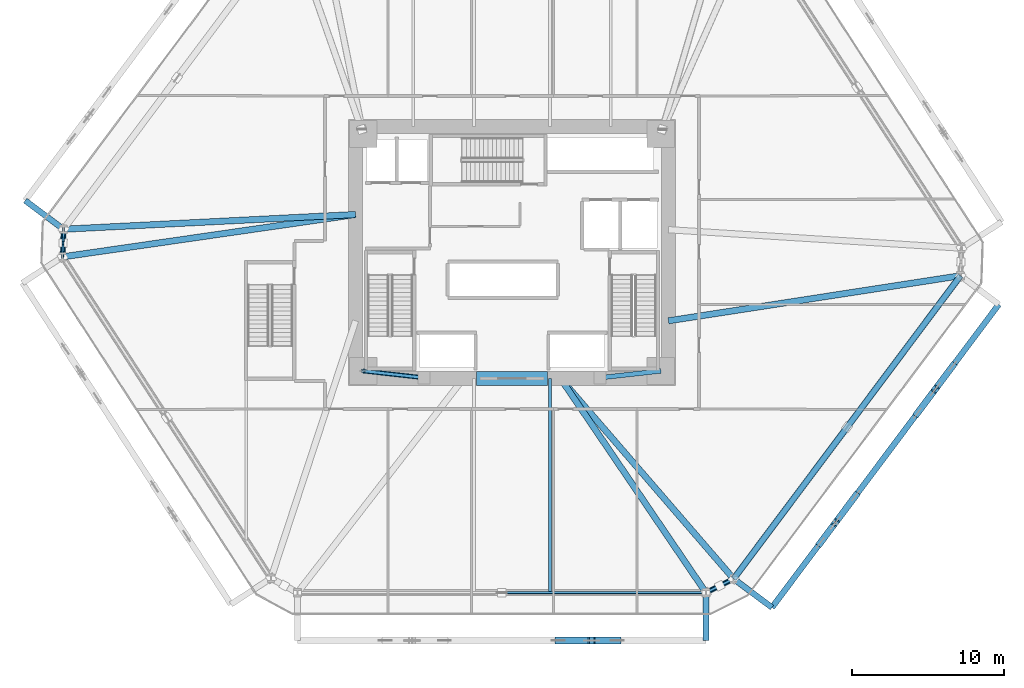
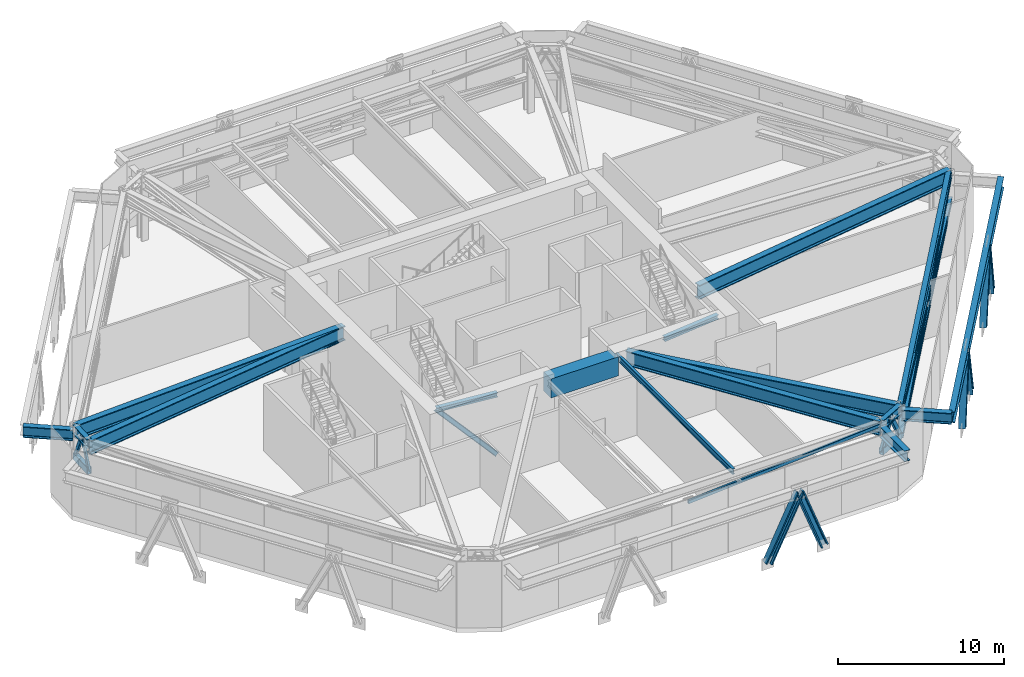
# One storey, part 2 of 16: 18 members, 16 beams.
"""IFC4 building model written with IfcOpenShell, lengths in metres."""

from ifc_helpers import new_model, si_unit, direction, frame, origin, origin_2d, place, context, subcontext, project, spatial, rectangle, hollow_rectangle, i_section, extrude, source, transform, mapped, material, material_profile, profile_set, type_object, type_shapes, element, save


model = new_model("IFC4")

# Units and contexts
model_context = context("Model", 3, precision=1e-05, world=origin(), true_north=direction((0.0, 1.0)))
body_context = subcontext(model_context, "Body", "Model", "MODEL_VIEW")
ifc_project = project(units=[si_unit("LENGTHUNIT", "METRE"), si_unit("AREAUNIT", "SQUARE_METRE"), si_unit("VOLUMEUNIT", "CUBIC_METRE"), si_unit("PLANEANGLEUNIT", "RADIAN"), si_unit("MASSUNIT", "GRAM", prefix="KILO")], contexts=[model_context])

# Site, building, storey
site_placement = place(None, origin())
site = spatial("IfcSite", under=ifc_project, at=site_placement, CompositionType="ELEMENT")
building_placement = place(site_placement, origin())
building = spatial("IfcBuilding", under=site, at=building_placement, Name="Durnholm Broadcast Tower", CompositionType="ELEMENT")
storey_placement = place(building_placement, frame((0.0, 0.0, 10.39990234375)))
storey = spatial("IfcBuildingStorey", under=building, at=storey_placement, Name="L02", CompositionType="ELEMENT", Elevation=10.39990234375)

# Beams
ifc_material_1 = material(Name="Concrete C70/85", Category="concrete")
ifc_material_profile_1 = material_profile(ifc_material_1, rectangle(XDim=0.89990234375, YDim=1.39990234375, at=origin_2d()), Name="RC900X1400")
ifc_profile_set_1 = profile_set([ifc_material_profile_1], Name="Concrete C70/85")
beam_type_1 = type_object("IfcBeamType", Name="BM-CB-RC1400", PredefinedType="LINTEL", material=ifc_profile_set_1)
shared_shape_1 = source(origin(), body_context, "Body", "SweptSolid", [
    extrude(rectangle(XDim=0.89990234375, YDim=1.39990234375, at=origin_2d()), origin(), (0.0, 0.0, 1.0), 4.7001953125),
])
type_shapes(beam_type_1, [shared_shape_1])
beam_1_placement = place(storey_placement, frame((-2.35009765625, -8.300048828125, 4.175048828125), z_axis=(1.0, 0.0, 0.0), x_axis=(0.0, 1.0, 0.0)))
element("IfcBeam", 1, at=beam_1_placement, inside=storey, type_object=beam_type_1, Name="L02 south core coupling lintel beam CB-S", PredefinedType="LINTEL", context=body_context, shape_type="MappedRepresentation", body=[
    mapped(shared_shape_1, transform((0.0, 0.0, 0.0), x_axis=(1.0, 0.0, 0.0), y_axis=(0.0, 1.0, 0.0), z_axis=(0.0, 0.0, 1.0), scale=1.0)),
])
ifc_material_2 = material(Name="Steel ASTM A992 Grade 50", Category="steel")
ifc_material_profile_2 = material_profile(ifc_material_2, i_section(OverallWidth=0.3330078125, OverallDepth=0.660888671875, WebThickness=0.0244140625, FlangeThickness=0.0439453125, FilletRadius=0.02783203125, at=origin_2d()), Name="W24X229")
ifc_profile_set_2 = profile_set([ifc_material_profile_2], Name="Steel ASTM A992 Grade 50")
beam_type_2 = type_object("IfcBeamType", Name="STL-SP-W24X229", PredefinedType="SPANDREL", material=ifc_profile_set_2)
shared_shape_2 = source(origin(), body_context, "Body", "SweptSolid", [
    extrude(i_section(OverallWidth=0.3330078125, OverallDepth=0.660888671875, WebThickness=0.0244140625, FlangeThickness=0.0439453125, FilletRadius=0.02783203125, at=origin_2d()), origin(), (0.0, 0.0, 1.0), 1.820068359375),
])
beam_2_placement = place(storey_placement, frame((-29.590576171875, -0.28857421875, 4.53466796875), z_axis=(0.033667655889, 0.999433083776, 0.0), x_axis=(-0.999433083776, 0.033667655889, 0.0)))
element("IfcBeam", 2, at=beam_2_placement, inside=storey, type_object=beam_type_2, Name="L02 perimeter spandrel girder 02", PredefinedType="SPANDREL", context=body_context, shape_type="MappedRepresentation", body=[
    mapped(shared_shape_2, transform((0.0, 0.0, 0.0), x_axis=(1.0, 0.0, 0.0), y_axis=(0.0, 1.0, 0.0), z_axis=(0.0, 0.0, 1.0), scale=1.0)),
])
shared_shape_3 = source(origin(), body_context, "Body", "SweptSolid", [
    extrude(i_section(OverallWidth=0.3330078125, OverallDepth=0.660888671875, WebThickness=0.0244140625, FlangeThickness=0.0439453125, FilletRadius=0.02783203125, at=origin_2d()), origin(), (0.0, 0.0, 1.0), 24.926513671875),
])
beam_3_placement = place(storey_placement, frame((29.529296875, -1.530517578125, 4.53466796875), z_axis=(-0.599153427318, -0.800634230178, 0.0), x_axis=(0.800634230178, -0.599153427318, 0.0)))
element("IfcBeam", 3, at=beam_3_placement, inside=storey, type_object=beam_type_2, Name="L02 perimeter spandrel girder 09", PredefinedType="SPANDREL", context=body_context, shape_type="MappedRepresentation", body=[
    mapped(shared_shape_3, transform((0.0, 0.0, 0.0), x_axis=(1.0, 0.0, 0.0), y_axis=(0.0, 1.0, 0.0), z_axis=(0.0, 0.0, 1.0), scale=1.0)),
])
shared_shape_4 = source(origin(), body_context, "Body", "SweptSolid", [
    extrude(i_section(OverallWidth=0.3330078125, OverallDepth=0.660888671875, WebThickness=0.0244140625, FlangeThickness=0.0439453125, FilletRadius=0.02783203125, at=origin_2d()), origin(), (0.0, 0.0, 1.0), 2.0380859375),
])
type_shapes(beam_type_2, [shared_shape_2, shared_shape_3, shared_shape_4])
beam_4_placement = place(storey_placement, frame((14.594482421875, -21.487548828125, 4.53466796875), z_axis=(-0.894211470078, -0.447644777452, 0.0), x_axis=(0.447644777452, -0.894211470078, 0.0)))
element("IfcBeam", 4, at=beam_4_placement, inside=storey, type_object=beam_type_2, Name="L02 perimeter spandrel girder 10", PredefinedType="SPANDREL", context=body_context, shape_type="MappedRepresentation", body=[
    mapped(shared_shape_4, transform((0.0, 0.0, 0.0), x_axis=(1.0, 0.0, 0.0), y_axis=(0.0, 1.0, 0.0), z_axis=(0.0, 0.0, 1.0), scale=1.0)),
])
ifc_material_profile_3 = material_profile(ifc_material_2, i_section(OverallWidth=0.3046875, OverallDepth=0.307861328125, WebThickness=0.010009765625, FlangeThickness=0.015380859375, FilletRadius=0.019287109375, at=origin_2d()), Name="W12X65")
ifc_profile_set_3 = profile_set([ifc_material_profile_3], Name="Steel ASTM A992 Grade 50")
beam_type_3 = type_object("IfcBeamType", Name="STL-BL-W12X65", PredefinedType="LINTEL", material=ifc_profile_set_3)
shared_shape_5 = source(origin(), body_context, "Body", "SweptSolid", [
    extrude(i_section(OverallWidth=0.3046875, OverallDepth=0.307861328125, WebThickness=0.010009765625, FlangeThickness=0.015380859375, FilletRadius=0.019287109375, at=origin_2d()), origin(), (0.0, 0.0, 1.0), 4.025146484375),
])
type_shapes(beam_type_3, [shared_shape_5])
for number, where, z_axis, x_axis, name in (
    (5, (-5.800048828125, -8.25, 4.711181640625), (-0.993732663715, 0.111782794142, 0.0), (-0.111782794142, -0.993732663715, 0.0), "L02 west pilaster tie lintel"),
    (6, (9.800048828125, -7.800048828125, 4.711181640625), (-0.993732663715, -0.111782794142, 0.0), (0.111782794142, -0.993732663715, 0.0), "L02 east pilaster tie lintel"),
):
    element("IfcBeam", number, at=place(storey_placement, frame(where, z_axis=z_axis, x_axis=x_axis)), inside=storey, type_object=beam_type_3, Name=name, PredefinedType="LINTEL", context=body_context, shape_type="MappedRepresentation", body=[
        mapped(shared_shape_5, transform((0.0, 0.0, 0.0), x_axis=(1.0, 0.0, 0.0), y_axis=(0.0, 1.0, 0.0), z_axis=(0.0, 0.0, 1.0), scale=1.0)),
    ])
ifc_material_profile_4 = material_profile(ifc_material_2, i_section(OverallWidth=0.412109375, OverallDepth=1.048095703125, WebThickness=0.033935546875, FlangeThickness=0.059814453125, FilletRadius=0.04052734375, at=origin_2d()), Name="W40X431")
ifc_profile_set_4 = profile_set([ifc_material_profile_4], Name="Steel ASTM A992 Grade 50")
beam_type_4 = type_object("IfcBeamType", Name="STL-TG-W40X431", PredefinedType="USERDEFINED", material=ifc_profile_set_4)
shared_shape_6 = source(origin(), body_context, "Body", "SweptSolid", [
    extrude(i_section(OverallWidth=0.412109375, OverallDepth=1.048095703125, WebThickness=0.033935546875, FlangeThickness=0.059814453125, FilletRadius=0.04052734375, at=origin_2d()), origin(), (0.0, 0.0, 1.0), 19.490966796875),
])
beam_5_placement = place(storey_placement, frame((-10.300048828125, 2.5, 4.341064453125), z_axis=(-0.989712636446, -0.143069553921, 0.0), x_axis=(0.143069553921, -0.989712636446, 0.0)))
element("IfcBeam", 7, at=beam_5_placement, inside=storey, type_object=beam_type_4, Name="L02 radial primary floor girder 02", ObjectType="GIRDER", PredefinedType="USERDEFINED", context=body_context, shape_type="MappedRepresentation", body=[
    mapped(shared_shape_6, transform((0.0, 0.0, 0.0), x_axis=(1.0, 0.0, 0.0), y_axis=(0.0, 1.0, 0.0), z_axis=(0.0, 0.0, 1.0), scale=1.0)),
])
shared_shape_7 = source(origin(), body_context, "Body", "SweptSolid", [
    extrude(i_section(OverallWidth=0.412109375, OverallDepth=1.048095703125, WebThickness=0.033935546875, FlangeThickness=0.059814453125, FilletRadius=0.04052734375, at=origin_2d()), origin(), (0.0, 0.0, 1.0), 17.42822265625),
])
beam_6_placement = place(storey_placement, frame((3.199951171875, -8.300048828125, 4.341064453125), z_axis=(0.653794915042, -0.756671797456, 0.0), x_axis=(0.756671797456, 0.653794915042, 0.0)))
element("IfcBeam", 8, at=beam_6_placement, inside=storey, type_object=beam_type_4, Name="L02 radial primary floor girder 10", ObjectType="GIRDER", PredefinedType="USERDEFINED", context=body_context, shape_type="MappedRepresentation", body=[
    mapped(shared_shape_7, transform((0.0, 0.0, 0.0), x_axis=(1.0, 0.0, 0.0), y_axis=(0.0, 1.0, 0.0), z_axis=(0.0, 0.0, 1.0), scale=1.0)),
])
shared_shape_8 = source(origin(), body_context, "Body", "SweptSolid", [
    extrude(i_section(OverallWidth=0.412109375, OverallDepth=1.048095703125, WebThickness=0.033935546875, FlangeThickness=0.059814453125, FilletRadius=0.04052734375, at=origin_2d()), origin(), (0.0, 0.0, 1.0), 17.0419921875),
])
beam_7_placement = place(storey_placement, frame((3.199951171875, -8.300048828125, 4.341064453125), z_axis=(0.561672715675, -0.827359511015, 0.0), x_axis=(0.827359511015, 0.561672715675, 0.0)))
element("IfcBeam", 9, at=beam_7_placement, inside=storey, type_object=beam_type_4, Name="L02 radial primary floor girder 11", ObjectType="GIRDER", PredefinedType="USERDEFINED", context=body_context, shape_type="MappedRepresentation", body=[
    mapped(shared_shape_8, transform((0.0, 0.0, 0.0), x_axis=(1.0, 0.0, 0.0), y_axis=(0.0, 1.0, 0.0), z_axis=(0.0, 0.0, 1.0), scale=1.0)),
])
shared_shape_9 = source(origin(), body_context, "Body", "SweptSolid", [
    extrude(i_section(OverallWidth=0.412109375, OverallDepth=1.048095703125, WebThickness=0.033935546875, FlangeThickness=0.059814453125, FilletRadius=0.04052734375, at=origin_2d()), origin(), (0.0, 0.0, 1.0), 19.253662109375),
])
beam_8_placement = place(storey_placement, frame((-10.300048828125, 2.5, 4.341064453125), z_axis=(-0.998731477139, -0.050353118796, 0.0), x_axis=(0.050353118796, -0.998731477139, 0.0)))
element("IfcBeam", 10, at=beam_8_placement, inside=storey, type_object=beam_type_4, Name="L02 radial primary floor girder 03", ObjectType="GIRDER", PredefinedType="USERDEFINED", context=body_context, shape_type="MappedRepresentation", body=[
    mapped(shared_shape_9, transform((0.0, 0.0, 0.0), x_axis=(1.0, 0.0, 0.0), y_axis=(0.0, 1.0, 0.0), z_axis=(0.0, 0.0, 1.0), scale=1.0)),
])
shared_shape_10 = source(origin(), body_context, "Body", "SweptSolid", [
    extrude(i_section(OverallWidth=0.412109375, OverallDepth=1.048095703125, WebThickness=0.033935546875, FlangeThickness=0.059814453125, FilletRadius=0.04052734375, at=origin_2d()), origin(), (0.0, 0.0, 1.0), 19.457275390625),
])
type_shapes(beam_type_4, [shared_shape_6, shared_shape_7, shared_shape_8, shared_shape_9, shared_shape_10])
beam_9_placement = place(storey_placement, frame((10.300048828125, -4.5, 4.341064453125), z_axis=(0.988285519632, 0.152616289061, 0.0), x_axis=(-0.152616289061, 0.988285519632, 0.0)))
element("IfcBeam", 11, at=beam_9_placement, inside=storey, type_object=beam_type_4, Name="L02 radial primary floor girder 09", ObjectType="GIRDER", PredefinedType="USERDEFINED", context=body_context, shape_type="MappedRepresentation", body=[
    mapped(shared_shape_10, transform((0.0, 0.0, 0.0), x_axis=(1.0, 0.0, 0.0), y_axis=(0.0, 1.0, 0.0), z_axis=(0.0, 0.0, 1.0), scale=1.0)),
])
ifc_material_profile_5 = material_profile(ifc_material_2, i_section(OverallWidth=0.180908203125, OverallDepth=0.417236328125, WebThickness=0.010986328125, FlangeThickness=0.018310546875, FilletRadius=0.01904296875, at=origin_2d()), Name="W16X57")
ifc_profile_set_5 = profile_set([ifc_material_profile_5], Name="Steel ASTM A992 Grade 50")
beam_type_5 = type_object("IfcBeamType", Name="STL-BJ-W16X57", PredefinedType="JOIST", material=ifc_profile_set_5)
shared_shape_11 = source(origin(), body_context, "Body", "SweptSolid", [
    extrude(i_section(OverallWidth=0.180908203125, OverallDepth=0.417236328125, WebThickness=0.010986328125, FlangeThickness=0.018310546875, FilletRadius=0.01904296875, at=origin_2d()), origin(), (0.0, 0.0, 1.0), 14.099853515625),
])
type_shapes(beam_type_5, [shared_shape_11])
beam_10_placement = place(storey_placement, frame((2.5, -22.39990234375, 4.656494140625), z_axis=(0.0, 1.0, 0.0), x_axis=(-1.0, 0.0, 0.0)))
element("IfcBeam", 12, at=beam_10_placement, inside=storey, type_object=beam_type_5, Name="L02 secondary floor joist 6.1", PredefinedType="JOIST", context=body_context, shape_type="MappedRepresentation", body=[
    mapped(shared_shape_11, transform((0.0, 0.0, 0.0), x_axis=(1.0, 0.0, 0.0), y_axis=(0.0, 1.0, 0.0), z_axis=(0.0, 0.0, 1.0), scale=1.0)),
])

# Members
ifc_material_3 = material(Name="Steel ASTM A500 Grade C", Category="steel")
ifc_material_profile_6 = material_profile(ifc_material_3, hollow_rectangle(XDim=0.3046875, YDim=0.508056640625, WallThickness=0.014892578125, InnerFilletRadius=0.022216796875, OuterFilletRadius=0.037109375, at=origin_2d()), Name="HSS20X12X5/8")
ifc_profile_set_6 = profile_set([ifc_material_profile_6], Name="Steel ASTM A500 Grade C")
member_type_1 = type_object("IfcMemberType", Name="STL-TC-HSS20X12", PredefinedType="CHORD", material=ifc_profile_set_6)
shared_shape_12 = source(origin(), body_context, "Body", "SweptSolid", [
    extrude(hollow_rectangle(XDim=0.3046875, YDim=0.508056640625, WallThickness=0.014892578125, InnerFilletRadius=0.022216796875, OuterFilletRadius=0.037109375, at=origin_2d()), origin(), (0.0, 0.0, 1.0), 1.820068359375),
])
member_1_placement = place(storey_placement, frame((-29.590576171875, -0.28857421875, 2.550048828125), z_axis=(0.033667655889, 0.999433083776, 0.0), x_axis=(-0.999433083776, 0.033667655889, 0.0)))
element("IfcMember", 13, at=member_1_placement, inside=storey, type_object=member_type_1, Name="L02 perimeter belt-truss bottom chord 02", PredefinedType="CHORD", context=body_context, shape_type="MappedRepresentation", body=[
    mapped(shared_shape_12, transform((0.0, 0.0, 0.0), x_axis=(1.0, 0.0, 0.0), y_axis=(0.0, 1.0, 0.0), z_axis=(0.0, 0.0, 1.0), scale=1.0)),
])
ifc_material_profile_7 = material_profile(ifc_material_3, hollow_rectangle(XDim=0.15234375, YDim=0.25390625, WallThickness=0.0087890625, InnerFilletRadius=0.013427734375, OuterFilletRadius=0.022216796875, at=origin_2d()), Name="HSS10X6X3/8")
ifc_profile_set_7 = profile_set([ifc_material_profile_7], Name="Steel ASTM A500 Grade C")
member_type_2 = type_object("IfcMemberType", Name="STL-TB-HSS10X6", PredefinedType="BRACE", material=ifc_profile_set_7)
shared_shape_13 = source(origin(), body_context, "Body", "SweptSolid", [
    extrude(hollow_rectangle(XDim=0.15234375, YDim=0.25390625, WallThickness=0.0087890625, InnerFilletRadius=0.013427734375, OuterFilletRadius=0.022216796875, at=origin_2d()), origin(), (0.0, 0.0, 1.0), 2.17919921875),
])
member_2_placement = place(storey_placement, frame((-29.590576171875, -0.28857421875, 2.550048828125), z_axis=(0.014004268257, 0.417439228203, 0.90859692451), x_axis=(-0.999437739041, 0.033529178041, 0.0)))
element("IfcMember", 14, at=member_2_placement, inside=storey, type_object=member_type_2, Name="L02 belt-truss chevron brace 02.1", PredefinedType="BRACE", context=body_context, shape_type="MappedRepresentation", body=[
    mapped(shared_shape_13, transform((0.0, 0.0, 0.0), x_axis=(1.0, 0.0, 0.0), y_axis=(0.0, 1.0, 0.0), z_axis=(0.0, 0.0, 1.0), scale=1.0)),
])
shared_shape_14 = source(origin(), body_context, "Body", "SweptSolid", [
    extrude(hollow_rectangle(XDim=0.15234375, YDim=0.25390625, WallThickness=0.0087890625, InnerFilletRadius=0.013427734375, OuterFilletRadius=0.022216796875, at=origin_2d()), origin(), (0.0, 0.0, 1.0), 2.178955078125),
])
member_3_placement = place(storey_placement, frame((-29.529296875, 1.530517578125, 2.550048828125), z_axis=(-0.014116940305, -0.417346052656, 0.908637983098), x_axis=(0.999428408111, -0.033806168972, 0.0)))
element("IfcMember", 15, at=member_3_placement, inside=storey, type_object=member_type_2, Name="L02 belt-truss chevron brace 02.2", PredefinedType="BRACE", context=body_context, shape_type="MappedRepresentation", body=[
    mapped(shared_shape_14, transform((0.0, 0.0, 0.0), x_axis=(1.0, 0.0, 0.0), y_axis=(0.0, 1.0, 0.0), z_axis=(0.0, 0.0, 1.0), scale=1.0)),
])
ifc_material_profile_8 = material_profile(ifc_material_2, i_section(OverallWidth=0.4013671875, OverallDepth=0.3994140625, WebThickness=0.02490234375, FlangeThickness=0.03955078125, FilletRadius=0.030517578125, at=origin_2d()), Name="W14X211")
ifc_profile_set_8 = profile_set([ifc_material_profile_8], Name="Steel ASTM A992 Grade 50")
member_type_3 = type_object("IfcMemberType", Name="STL-TC-W14X211", PredefinedType="CHORD", material=ifc_profile_set_8)
shared_shape_15 = source(origin(), body_context, "Body", "SweptSolid", [
    extrude(i_section(OverallWidth=0.4013671875, OverallDepth=0.3994140625, WebThickness=0.02490234375, FlangeThickness=0.03955078125, FilletRadius=0.030517578125, at=origin_2d()), origin(), (0.0, 0.0, 1.0), 24.926513671875),
])
type_shapes(member_type_3, [shared_shape_15])
member_4_placement = place(storey_placement, frame((29.529296875, -1.530517578125, 2.550048828125), z_axis=(-0.599153427318, -0.800634230178, 0.0), x_axis=(0.800634230178, -0.599153427318, 0.0)))
element("IfcMember", 16, at=member_4_placement, inside=storey, type_object=member_type_3, Name="L02 perimeter belt-truss bottom chord 09", PredefinedType="CHORD", context=body_context, shape_type="MappedRepresentation", body=[
    mapped(shared_shape_15, transform((0.0, 0.0, 0.0), x_axis=(1.0, 0.0, 0.0), y_axis=(0.0, 1.0, 0.0), z_axis=(0.0, 0.0, 1.0), scale=1.0)),
])
ifc_material_4 = material(Name="Steel ASTM A913 Grade 65", Category="steel")
ifc_material_profile_9 = material_profile(ifc_material_4, i_section(OverallWidth=0.412109375, OverallDepth=0.434814453125, WebThickness=0.035888671875, FlangeThickness=0.057373046875, FilletRadius=0.030517578125, at=origin_2d()), Name="W14X311")
ifc_profile_set_9 = profile_set([ifc_material_profile_9], Name="Steel ASTM A913 Grade 65")
member_type_4 = type_object("IfcMemberType", Name="STL-DG-W14X311", PredefinedType="BRACE", material=ifc_profile_set_9)
shared_shape_16 = source(origin(), body_context, "Body", "SweptSolid", [
    extrude(i_section(OverallWidth=0.412109375, OverallDepth=0.434814453125, WebThickness=0.035888671875, FlangeThickness=0.057373046875, FilletRadius=0.030517578125, at=origin_2d()), origin(), (0.0, 0.0, 1.0), 25.005126953125),
])
member_5_placement = place(storey_placement, frame((29.529296875, -1.530517578125, 2.550048828125), z_axis=(-0.597272131605, -0.798120300229, 0.079183250573), x_axis=(0.800634230178, -0.599153427318, 0.0)))
element("IfcMember", 17, at=member_5_placement, inside=storey, type_object=member_type_4, Name="L02 belt-truss continuous X-diagonal brace 09", PredefinedType="BRACE", context=body_context, shape_type="MappedRepresentation", body=[
    mapped(shared_shape_16, transform((0.0, 0.0, 0.0), x_axis=(1.0, 0.0, 0.0), y_axis=(0.0, 1.0, 0.0), z_axis=(0.0, 0.0, 1.0), scale=1.0)),
])
shared_shape_17 = source(origin(), body_context, "Body", "SweptSolid", [
    extrude(i_section(OverallWidth=0.412109375, OverallDepth=0.434814453125, WebThickness=0.035888671875, FlangeThickness=0.057373046875, FilletRadius=0.030517578125, at=origin_2d()), origin(), (0.0, 0.0, 1.0), 12.502685546875),
])
member_6_placement = place(storey_placement, frame((14.594482421875, -21.487548828125, 2.550048828125), z_axis=(0.597278412178, 0.798115645945, 0.079182788812), x_axis=(-0.800629531776, 0.599159705628, 0.0)))
element("IfcMember", 18, at=member_6_placement, inside=storey, type_object=member_type_4, Name="L02 belt-truss split X-diagonal segment 09.1", PredefinedType="BRACE", context=body_context, shape_type="MappedRepresentation", body=[
    mapped(shared_shape_17, transform((0.0, 0.0, 0.0), x_axis=(1.0, 0.0, 0.0), y_axis=(0.0, 1.0, 0.0), z_axis=(0.0, 0.0, 1.0), scale=1.0)),
])
shared_shape_18 = source(origin(), body_context, "Body", "SweptSolid", [
    extrude(i_section(OverallWidth=0.412109375, OverallDepth=0.434814453125, WebThickness=0.035888671875, FlangeThickness=0.057373046875, FilletRadius=0.030517578125, at=origin_2d()), origin(), (0.0, 0.0, 1.0), 12.50244140625),
])
type_shapes(member_type_4, [shared_shape_16, shared_shape_17, shared_shape_18])
member_7_placement = place(storey_placement, frame((22.06201171875, -11.509033203125, 3.5400390625), z_axis=(0.597265850922, 0.798124954518, 0.079183712335), x_axis=(-0.800638928586, 0.599147148898, 0.0)))
element("IfcMember", 19, at=member_7_placement, inside=storey, type_object=member_type_4, Name="L02 belt-truss split X-diagonal segment 09.2", PredefinedType="BRACE", context=body_context, shape_type="MappedRepresentation", body=[
    mapped(shared_shape_18, transform((0.0, 0.0, 0.0), x_axis=(1.0, 0.0, 0.0), y_axis=(0.0, 1.0, 0.0), z_axis=(0.0, 0.0, 1.0), scale=1.0)),
])
shared_shape_19 = source(origin(), body_context, "Body", "SweptSolid", [
    extrude(hollow_rectangle(XDim=0.3046875, YDim=0.508056640625, WallThickness=0.014892578125, InnerFilletRadius=0.022216796875, OuterFilletRadius=0.037109375, at=origin_2d()), origin(), (0.0, 0.0, 1.0), 2.0380859375),
])
type_shapes(member_type_1, [shared_shape_12, shared_shape_19])
member_8_placement = place(storey_placement, frame((14.594482421875, -21.487548828125, 2.550048828125), z_axis=(-0.894211470078, -0.447644777452, 0.0), x_axis=(0.447644777452, -0.894211470078, 0.0)))
element("IfcMember", 20, at=member_8_placement, inside=storey, type_object=member_type_1, Name="L02 perimeter belt-truss bottom chord 10", PredefinedType="CHORD", context=body_context, shape_type="MappedRepresentation", body=[
    mapped(shared_shape_19, transform((0.0, 0.0, 0.0), x_axis=(1.0, 0.0, 0.0), y_axis=(0.0, 1.0, 0.0), z_axis=(0.0, 0.0, 1.0), scale=1.0)),
])
ifc_material_profile_10 = material_profile(ifc_material_3, hollow_rectangle(XDim=0.203125, YDim=0.3046875, WallThickness=0.01171875, InnerFilletRadius=0.017578125, OuterFilletRadius=0.029541015625, at=origin_2d()), Name="HSS12X8X1/2")
ifc_profile_set_10 = profile_set([ifc_material_profile_10], Name="Steel ASTM A500 Grade C")
member_type_5 = type_object("IfcMemberType", Name="STL-TB-HSS12X8", PredefinedType="BRACE", material=ifc_profile_set_10)
shared_shape_20 = source(origin(), body_context, "Body", "SweptSolid", [
    extrude(hollow_rectangle(XDim=0.203125, YDim=0.3046875, WallThickness=0.01171875, InnerFilletRadius=0.017578125, OuterFilletRadius=0.029541015625, at=origin_2d()), origin(), (0.0, 0.0, 1.0), 2.226806640625),
])
type_shapes(member_type_5, [shared_shape_20])
for number, where, z_axis, x_axis, name in (
    (21, (14.594482421875, -21.487548828125, 2.550048828125), (-0.409255845553, -0.204902002501, 0.889114628297), (0.447692603156, -0.894187526797, 0.0), "L02 belt-truss chevron brace 10.1"),
    (22, (12.77197265625, -22.39990234375, 2.550048828125), (0.409173759867, 0.204806158476, 0.889174488886), (-0.44759693509, 0.894235418499, 0.0), "L02 belt-truss chevron brace 10.2"),
):
    element("IfcMember", number, at=place(storey_placement, frame(where, z_axis=z_axis, x_axis=x_axis)), inside=storey, type_object=member_type_5, Name=name, PredefinedType="BRACE", context=body_context, shape_type="MappedRepresentation", body=[
        mapped(shared_shape_20, transform((0.0, 0.0, 0.0), x_axis=(1.0, 0.0, 0.0), y_axis=(0.0, 1.0, 0.0), z_axis=(0.0, 0.0, 1.0), scale=1.0)),
    ])
shared_shape_21 = source(origin(), body_context, "Body", "SweptSolid", [
    extrude(hollow_rectangle(XDim=0.15234375, YDim=0.25390625, WallThickness=0.0087890625, InnerFilletRadius=0.013427734375, OuterFilletRadius=0.022216796875, at=origin_2d()), origin(), (0.0, 0.0, 1.0), 13.48193359375),
])
type_shapes(member_type_2, [shared_shape_13, shared_shape_14, shared_shape_21])
member_9_placement = place(storey_placement, frame((-0.673583984375, -22.39990234375, 3.5400390625), z_axis=(0.997300316879, 0.0, 0.073430769795), x_axis=(0.0, 1.0, 0.0)))
element("IfcMember", 23, at=member_9_placement, inside=storey, type_object=member_type_2, Name="L02 belt-truss split X-diagonal segment 11.2", PredefinedType="BRACE", context=body_context, shape_type="MappedRepresentation", body=[
    mapped(shared_shape_21, transform((0.0, 0.0, 0.0), x_axis=(1.0, 0.0, 0.0), y_axis=(0.0, 1.0, 0.0), z_axis=(0.0, 0.0, 1.0), scale=1.0)),
])

# Beams
ifc_material_profile_11 = material_profile(ifc_material_2, i_section(OverallWidth=0.385009765625, OverallDepth=0.802978515625, WebThickness=0.023681640625, FlangeThickness=0.0419921875, FilletRadius=0.032958984375, at=origin_2d()), Name="W30X261")
ifc_profile_set_11 = profile_set([ifc_material_profile_11], Name="Steel ASTM A992 Grade 50")
beam_type_6 = type_object("IfcBeamType", Name="BM-EXO-TIE", PredefinedType="USERDEFINED", material=ifc_profile_set_11)
shared_shape_22 = source(origin(), body_context, "Body", "SweptSolid", [
    extrude(i_section(OverallWidth=0.385009765625, OverallDepth=0.802978515625, WebThickness=0.023681640625, FlangeThickness=0.0419921875, FilletRadius=0.032958984375, at=origin_2d()), origin(), (0.0, 0.0, 1.0), 3.024169921875),
])
for number, where, z_axis, x_axis, name in (
    (24, (12.77197265625, -22.52587890625, 4.128662109375), (0.0, -1.0, 0.0), (1.0, 0.0, 0.0), "L02 exoskeleton stand-off tie bracket F1.2"),
    (25, (14.6953125, -21.56298828125, 4.128662109375), (0.800609912919, -0.599185920509, 0.0), (0.599185920509, 0.800609912919, 0.0), "L02 exoskeleton stand-off tie bracket F2.1"),
    (26, (-29.63037109375, 1.60595703125, 4.128662109375), (-0.800609912919, 0.599185920509, 0.0), (-0.599185920509, -0.800609912919, 0.0), "L02 exoskeleton stand-off tie bracket F5.2"),
):
    element("IfcBeam", number, at=place(storey_placement, frame(where, z_axis=z_axis, x_axis=x_axis)), inside=storey, type_object=beam_type_6, Name=name, ObjectType="GIRDER", PredefinedType="USERDEFINED", context=body_context, shape_type="MappedRepresentation", body=[
        mapped(shared_shape_22, transform((0.0, 0.0, 0.0), x_axis=(1.0, 0.0, 0.0), y_axis=(0.0, 1.0, 0.0), z_axis=(0.0, 0.0, 1.0), scale=1.0)),
    ])

# Members
ifc_material_profile_12 = material_profile(ifc_material_4, i_section(OverallWidth=0.43212890625, OverallDepth=0.497802734375, WebThickness=0.0556640625, FlangeThickness=0.0888671875, FilletRadius=0.030517578125, at=origin_2d()), Name="W14X500")
ifc_profile_set_12 = profile_set([ifc_material_profile_12], Name="Steel ASTM A913 Grade 65")
member_type_6 = type_object("IfcMemberType", Name="STL-DG-W14X500", PredefinedType="BRACE", material=ifc_profile_set_12)
shared_shape_23 = source(origin(), body_context, "Body", "SweptSolid", [
    extrude(i_section(OverallWidth=0.43212890625, OverallDepth=0.497802734375, WebThickness=0.0556640625, FlangeThickness=0.0888671875, FilletRadius=0.030517578125, at=origin_2d()), origin(), (0.0, 0.0, 1.0), 4.990234375),
])
member_10_placement = place(storey_placement, frame((3.041259765625, -25.550048828125, -0.349853515625), z_axis=(0.441097478305, 0.0, 0.897459199425), x_axis=(0.0, 1.0, 0.0)))
element("IfcMember", 27, at=member_10_placement, inside=storey, type_object=member_type_6, Name="L02 stand-off diagrid brace F1.D2.1", PredefinedType="BRACE", context=body_context, shape_type="MappedRepresentation", body=[
    mapped(shared_shape_23, transform((0.0, 0.0, 0.0), x_axis=(1.0, 0.0, 0.0), y_axis=(0.0, 1.0, 0.0), z_axis=(0.0, 0.0, 1.0), scale=1.0)),
])
shared_shape_24 = source(origin(), body_context, "Body", "SweptSolid", [
    extrude(i_section(OverallWidth=0.43212890625, OverallDepth=0.497802734375, WebThickness=0.0556640625, FlangeThickness=0.0888671875, FilletRadius=0.030517578125, at=origin_2d()), origin(), (0.0, 0.0, 1.0), 4.785888671875),
])
member_11_placement = place(storey_placement, frame((6.9296875, -25.550048828125, -0.349853515625), z_axis=(-0.352554204303, 0.0, 0.93579139397), x_axis=(0.0, -1.0, 0.0)))
element("IfcMember", 28, at=member_11_placement, inside=storey, type_object=member_type_6, Name="L02 stand-off diagrid brace F1.D2.2", PredefinedType="BRACE", context=body_context, shape_type="MappedRepresentation", body=[
    mapped(shared_shape_24, transform((0.0, 0.0, 0.0), x_axis=(1.0, 0.0, 0.0), y_axis=(0.0, 1.0, 0.0), z_axis=(0.0, 0.0, 1.0), scale=1.0)),
])

# Beam
shared_shape_25 = source(origin(), body_context, "Body", "SweptSolid", [
    extrude(i_section(OverallWidth=0.385009765625, OverallDepth=0.802978515625, WebThickness=0.023681640625, FlangeThickness=0.0419921875, FilletRadius=0.032958984375, at=origin_2d()), origin(), (0.0, 0.0, 1.0), 24.9267578125),
])
type_shapes(beam_type_6, [shared_shape_22, shared_shape_25])
beam_11_placement = place(storey_placement, frame((17.116455078125, -23.375, 4.128662109375), z_axis=(0.599159705628, 0.800629531776, 0.0), x_axis=(-0.800629531776, 0.599159705628, 0.0)))
element("IfcBeam", 29, at=beam_11_placement, inside=storey, type_object=beam_type_6, Name="L02 exoskeleton collector spandrel F2", PredefinedType="SPANDREL", context=body_context, shape_type="MappedRepresentation", body=[
    mapped(shared_shape_25, transform((0.0, 0.0, 0.0), x_axis=(1.0, 0.0, 0.0), y_axis=(0.0, 1.0, 0.0), z_axis=(0.0, 0.0, 1.0), scale=1.0)),
])

# Members
shared_shape_26 = source(origin(), body_context, "Body", "SweptSolid", [
    extrude(i_section(OverallWidth=0.43212890625, OverallDepth=0.497802734375, WebThickness=0.0556640625, FlangeThickness=0.0888671875, FilletRadius=0.030517578125, at=origin_2d()), origin(), (0.0, 0.0, 1.0), 4.779541015625),
])
member_12_placement = place(storey_placement, frame((20.2978515625, -19.123779296875, -0.349853515625), z_axis=(0.209274978969, 0.279663292618, 0.937012500418), x_axis=(-0.800648824869, 0.59913392429, 0.0)))
element("IfcMember", 30, at=member_12_placement, inside=storey, type_object=member_type_6, Name="L02 stand-off diagrid brace F2.D1.1", PredefinedType="BRACE", context=body_context, shape_type="MappedRepresentation", body=[
    mapped(shared_shape_26, transform((0.0, 0.0, 0.0), x_axis=(1.0, 0.0, 0.0), y_axis=(0.0, 1.0, 0.0), z_axis=(0.0, 0.0, 1.0), scale=1.0)),
])
shared_shape_27 = source(origin(), body_context, "Body", "SweptSolid", [
    extrude(i_section(OverallWidth=0.43212890625, OverallDepth=0.497802734375, WebThickness=0.0556640625, FlangeThickness=0.0888671875, FilletRadius=0.030517578125, at=origin_2d()), origin(), (0.0, 0.0, 1.0), 4.998046875),
])
member_13_placement = place(storey_placement, frame((22.62744140625, -16.0107421875, -0.349853515625), z_axis=(-0.265976922553, -0.355417463451, 0.896066238256), x_axis=(0.800633370052, -0.599154576682, 0.0)))
element("IfcMember", 31, at=member_13_placement, inside=storey, type_object=member_type_6, Name="L02 stand-off diagrid brace F2.D1.2", PredefinedType="BRACE", context=body_context, shape_type="MappedRepresentation", body=[
    mapped(shared_shape_27, transform((0.0, 0.0, 0.0), x_axis=(1.0, 0.0, 0.0), y_axis=(0.0, 1.0, 0.0), z_axis=(0.0, 0.0, 1.0), scale=1.0)),
])
shared_shape_28 = source(origin(), body_context, "Body", "SweptSolid", [
    extrude(i_section(OverallWidth=0.43212890625, OverallDepth=0.497802734375, WebThickness=0.0556640625, FlangeThickness=0.0888671875, FilletRadius=0.030517578125, at=origin_2d()), origin(), (0.0, 0.0, 1.0), 4.893798828125),
])
member_14_placement = place(storey_placement, frame((26.6875, -10.585693359375, -0.349853515625), z_axis=(0.241550751979, 0.322815967793, 0.915119164457), x_axis=(-0.800667655005, 0.599108759934, 0.0)))
element("IfcMember", 32, at=member_14_placement, inside=storey, type_object=member_type_6, Name="L02 stand-off diagrid brace F2.D2.1", PredefinedType="BRACE", context=body_context, shape_type="MappedRepresentation", body=[
    mapped(shared_shape_28, transform((0.0, 0.0, 0.0), x_axis=(1.0, 0.0, 0.0), y_axis=(0.0, 1.0, 0.0), z_axis=(0.0, 0.0, 1.0), scale=1.0)),
])
shared_shape_29 = source(origin(), body_context, "Body", "SweptSolid", [
    extrude(i_section(OverallWidth=0.43212890625, OverallDepth=0.497802734375, WebThickness=0.0556640625, FlangeThickness=0.0888671875, FilletRadius=0.030517578125, at=origin_2d()), origin(), (0.0, 0.0, 1.0), 4.870849609375),
])
type_shapes(member_type_6, [shared_shape_23, shared_shape_24, shared_shape_26, shared_shape_27, shared_shape_28, shared_shape_29])
member_15_placement = place(storey_placement, frame((29.01708984375, -7.472412109375, -0.349853515625), z_axis=(-0.235576898908, -0.314820957882, 0.919451624165), x_axis=(0.800657279439, -0.599122625914, 0.0)))
element("IfcMember", 33, at=member_15_placement, inside=storey, type_object=member_type_6, Name="L02 stand-off diagrid brace F2.D2.2", PredefinedType="BRACE", context=body_context, shape_type="MappedRepresentation", body=[
    mapped(shared_shape_29, transform((0.0, 0.0, 0.0), x_axis=(1.0, 0.0, 0.0), y_axis=(0.0, 1.0, 0.0), z_axis=(0.0, 0.0, 1.0), scale=1.0)),
])
ifc_material_profile_13 = material_profile(ifc_material_2, i_section(OverallWidth=0.205078125, OverallDepth=0.3095703125, WebThickness=0.009521484375, FlangeThickness=0.016357421875, FilletRadius=0.019287109375, at=origin_2d()), Name="W12X50")
ifc_profile_set_13 = profile_set([ifc_material_profile_13], Name="Steel ASTM A992 Grade 50")
member_type_7 = type_object("IfcMemberType", Name="STL-STG-W12X50", PredefinedType="STRINGER", material=ifc_profile_set_13)
shared_shape_30 = source(origin(), body_context, "Body", "SweptSolid", [
    extrude(i_section(OverallWidth=0.205078125, OverallDepth=0.3095703125, WebThickness=0.009521484375, FlangeThickness=0.016357421875, FilletRadius=0.019287109375, at=origin_2d()), origin(), (0.0, 0.0, 1.0), 6.0087890625),
])
type_shapes(member_type_7, [shared_shape_30])
member_16_placement = place(storey_placement, frame((-5.800048828125, -8.25, 0.25), z_axis=(-0.665700274931, 0.074883154706, 0.74245246117), x_axis=(-0.111782794142, -0.993732663715, 0.0)))
element("IfcMember", 34, at=member_16_placement, inside=storey, type_object=member_type_7, Name="L02 core gallery steel stringer brace", PredefinedType="STRINGER", context=body_context, shape_type="MappedRepresentation", body=[
    mapped(shared_shape_30, transform((0.0, 0.0, 0.0), x_axis=(1.0, 0.0, 0.0), y_axis=(0.0, 1.0, 0.0), z_axis=(0.0, 0.0, 1.0), scale=1.0)),
])

save(model, "model.ifc")
